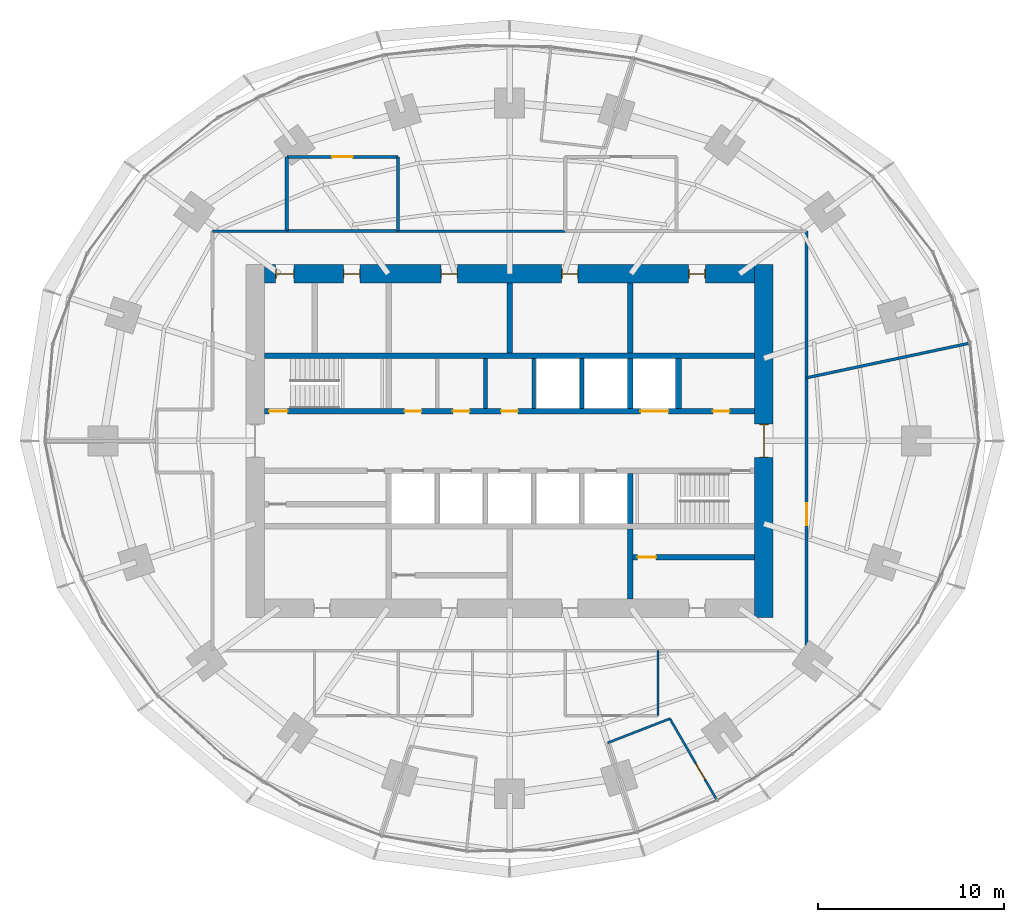
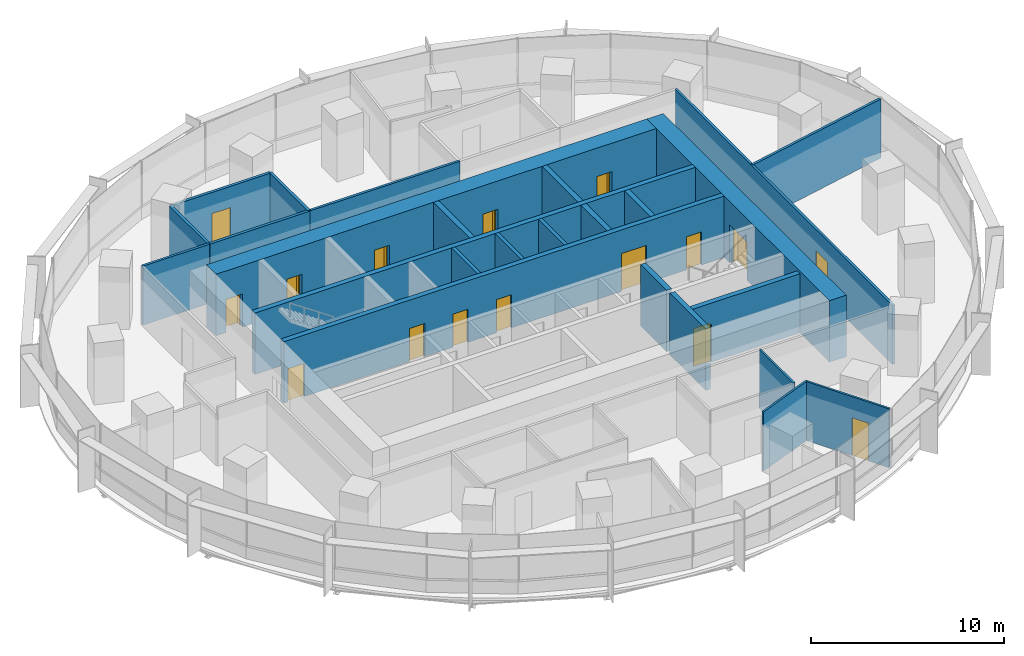
# One storey, part 11 of 14: 25 walls, 16 doors, 16 openings.
"""IFC4 building model written with IfcOpenShell, lengths in metres."""

from ifc_helpers import new_model, si_unit, direction, frame, frame_2d, origin, place, context, subcontext, project, spatial, rectangle, extrude, material, layer, layer_set, type_object, element, fill, save


model = new_model("IFC4")

# Units and contexts
model_context = context("Model", 3, precision=1e-05, world=origin(), true_north=direction((0.0, 1.0)))
body_context = subcontext(model_context, "Body", "Model", "MODEL_VIEW")
ifc_project = project(units=[si_unit("LENGTHUNIT", "METRE"), si_unit("AREAUNIT", "SQUARE_METRE"), si_unit("VOLUMEUNIT", "CUBIC_METRE"), si_unit("PLANEANGLEUNIT", "RADIAN"), si_unit("MASSUNIT", "GRAM", prefix="KILO")], contexts=[model_context])

# Site, building, storey
site_placement = place(None, origin())
site = spatial("IfcSite", under=ifc_project, at=site_placement, CompositionType="ELEMENT")
building_placement = place(site_placement, origin())
building = spatial("IfcBuilding", under=site, at=building_placement, Name="Marramba Exchange Tower", CompositionType="ELEMENT")
storey_placement = place(building_placement, frame((0.0, 0.0, 111.89990234375)))
storey = spatial("IfcBuildingStorey", under=building, at=storey_placement, Name="L26", CompositionType="ELEMENT", Elevation=111.89990234375)

# Wall
ifc_material_1 = material(Name="Plasterboard on staggered double steel studs, acoustic insulation", Category="steel")
ifc_layer_1 = layer(ifc_material_1, 0.169921875)
ifc_layer_set_1 = layer_set([ifc_layer_1], Name="Acoustic partition 170")
wall_type_1 = type_object("IfcWallType", Name="Acoustic partition 170", PredefinedType="PARTITIONING", material=ifc_layer_set_1)
wall_1_placement = place(storey_placement, frame((-6.0, 11.300048828125, 0.0), z_axis=(0.0, 0.0, 1.0), x_axis=(0.0, 1.0, 0.0)))
element("IfcWall", 1, at=wall_1_placement, inside=storey, type_object=wall_type_1, Name="Acoustic partition L26 28", PredefinedType="PARTITIONING", context=body_context, shape_type="SweptSolid", body=[
    extrude(rectangle(XDim=4.0, YDim=0.169921875, at=frame_2d((2.0, 0.0))), origin(), (0.0, 0.0, 1.0), 3.739990234375),
])

# Wall, opening, door
wall_2_placement = place(storey_placement, frame((-6.0, 15.300048828125, 0.0), z_axis=(0.0, 0.0, 1.0), x_axis=(-1.0, 0.0, 0.0)))
wall_2 = element("IfcWall", 2, at=wall_2_placement, inside=storey, type_object=wall_type_1, Name="Acoustic partition L26 29", PredefinedType="PARTITIONING", context=body_context, shape_type="SweptSolid", body=[
    extrude(rectangle(XDim=6.0, YDim=0.169921875, at=frame_2d((3.0, 0.0))), origin(), (0.0, 0.0, 1.0), 3.739990234375),
])
opening_1_placement = place(wall_2_placement, frame((2.449951171875, 0.0, 0.0)))
opening_1 = element("IfcOpeningElement", 3, at=opening_1_placement, cuts=wall_2, Name="Opening D15", PredefinedType="OPENING", context=body_context, shape_type="SweptSolid", body=[
    extrude(rectangle(XDim=1.10009765625, YDim=2.39990234375, at=frame_2d((0.550048828125, 1.199951171875))), frame((0.0, 0.094970703125, 0.0), z_axis=(0.0, -1.0, 0.0), x_axis=(1.0, 0.0, 0.0)), (0.0, 0.0, 1.0), 0.18994140625),
])
ifc_material_2 = material(Name="Timber door", Category="wood")
door_type_1 = type_object("IfcDoorType", Name="Glazed meeting room door 1100x2400", OperationType="SINGLE_SWING_LEFT", PredefinedType="DOOR", material=ifc_material_2)
door_1_placement = place(opening_1_placement, origin())
door_1 = element("IfcDoor", 4, at=door_1_placement, inside=storey, type_object=door_type_1, Name="D15 Meeting Room 2 L26", OperationType="SINGLE_SWING_RIGHT", OverallHeight=2.39990234375, OverallWidth=1.10009765625, PredefinedType="DOOR", context=body_context, shape_type="SweptSolid", body=[
    extrude(rectangle(XDim=1.10009765625, YDim=2.39990234375, at=frame_2d((0.550048828125, 1.199951171875))), frame((0.0, 0.02490234375, 0.0), z_axis=(0.0, -1.0, 0.0), x_axis=(1.0, 0.0, 0.0)), (0.0, 0.0, 1.0), 0.050048828125),
])
fill(opening_1, door_1)

# Walls
wall_3_placement = place(storey_placement, frame((-12.0, 11.300048828125, 0.0), z_axis=(0.0, 0.0, 1.0), x_axis=(1.0, 0.0, 0.0)))
element("IfcWall", 5, at=wall_3_placement, inside=storey, type_object=wall_type_1, Name="Acoustic partition L26 30", PredefinedType="PARTITIONING", context=body_context, shape_type="SweptSolid", body=[
    extrude(rectangle(XDim=6.0, YDim=0.169921875, at=frame_2d((3.0, 0.0))), origin(), (0.0, 0.0, 1.0), 3.739990234375),
])
wall_4_placement = place(storey_placement, frame((-12.0, 15.300048828125, 0.0), z_axis=(0.0, 0.0, 1.0), x_axis=(0.0, -1.0, 0.0)))
element("IfcWall", 6, at=wall_4_placement, inside=storey, type_object=wall_type_1, Name="Acoustic partition L26 31", PredefinedType="PARTITIONING", context=body_context, shape_type="SweptSolid", body=[
    extrude(rectangle(XDim=4.0, YDim=0.169921875, at=frame_2d((2.0, 0.0))), origin(), (0.0, 0.0, 1.0), 3.739990234375),
])
ifc_material_3 = material(Name="Concrete N50", Category="concrete")
ifc_layer_2 = layer(ifc_material_3, 0.199951171875)
ifc_layer_set_2 = layer_set([ifc_layer_2], Name="Core shaft wall 200")
wall_type_2 = type_object("IfcWallType", Name="Core shaft wall 200", PredefinedType="SHEAR", material=ifc_layer_set_2)
for number, where, z_axis, x_axis, name in (
    (7, (-1.300048828125, 1.75, 0.0), (0.0, 0.0, 1.0), (0.0, 1.0, 0.0), "Core wall SHN2 L26"),
    (8, (1.300048828125, 1.75, 0.0), (0.0, 0.0, 1.0), (0.0, 1.0, 0.0), "Core wall SHN3 L26"),
    (9, (3.89990234375, 1.75, 0.0), (0.0, 0.0, 1.0), (0.0, 1.0, 0.0), "Core wall SHN4 L26"),
):
    element("IfcWall", number, at=place(storey_placement, frame(where, z_axis=z_axis, x_axis=x_axis)), inside=storey, type_object=wall_type_2, Name=name, PredefinedType="SHEAR", context=body_context, shape_type="SweptSolid", body=[
        extrude(rectangle(XDim=2.699951171875, YDim=0.199951171875, at=frame_2d((1.35009765625, 0.0))), origin(), (0.0, 0.0, 1.0), 3.900146484375),
    ])

# Wall, openings, doors
ifc_layer_3 = layer(ifc_material_3, 1.0)
ifc_layer_set_3 = layer_set([ifc_layer_3], Name="Core wall 1000")
wall_type_3 = type_object("IfcWallType", Name="Core wall 1000", PredefinedType="SHEAR", material=ifc_layer_set_3)
wall_5_placement = place(storey_placement, frame((13.199951171875, 9.0, 0.0), z_axis=(0.0, 0.0, 1.0), x_axis=(-1.0, 0.0, 0.0)))
wall_5 = element("IfcWall", 10, at=wall_5_placement, inside=storey, type_object=wall_type_3, Name="Core wall N L26", PredefinedType="SHEAR", context=body_context, shape_type="SweptSolid", body=[
    extrude(rectangle(XDim=26.39990234375, YDim=1.0, at=frame_2d((13.199951171875, 0.0))), origin(), (0.0, 0.0, 1.0), 3.900146484375),
])
opening_2_placement = place(wall_5_placement, frame((2.64990234375, 0.0, 0.0)))
opening_2 = element("IfcOpeningElement", 11, at=opening_2_placement, cuts=wall_5, Name="Opening D5", PredefinedType="OPENING", context=body_context, shape_type="SweptSolid", body=[
    extrude(rectangle(XDim=0.89990234375, YDim=2.10009765625, at=frame_2d((0.449951171875, 1.050048828125))), frame((0.0, 0.510009765625, 0.0), z_axis=(0.0, -1.0, 0.0), x_axis=(1.0, 0.0, 0.0)), (0.0, 0.0, 1.0), 1.02001953125),
])
opening_3_placement = place(wall_5_placement, frame((9.5, 0.0, 0.0)))
opening_3 = element("IfcOpeningElement", 12, at=opening_3_placement, cuts=wall_5, Name="Opening D3", PredefinedType="OPENING", context=body_context, shape_type="SweptSolid", body=[
    extrude(rectangle(XDim=0.89990234375, YDim=2.10009765625, at=frame_2d((0.449951171875, 1.050048828125))), frame((0.0, 0.510009765625, 0.0), z_axis=(0.0, -1.0, 0.0), x_axis=(1.0, 0.0, 0.0)), (0.0, 0.0, 1.0), 1.02001953125),
])
opening_4_placement = place(wall_5_placement, frame((16.0, 0.0, 0.0)))
opening_4 = element("IfcOpeningElement", 13, at=opening_4_placement, cuts=wall_5, Name="Opening D3", PredefinedType="OPENING", context=body_context, shape_type="SweptSolid", body=[
    extrude(rectangle(XDim=0.89990234375, YDim=2.10009765625, at=frame_2d((0.449951171875, 1.050048828125))), frame((0.0, 0.510009765625, 0.0), z_axis=(0.0, -1.0, 0.0), x_axis=(1.0, 0.0, 0.0)), (0.0, 0.0, 1.0), 1.02001953125),
])
opening_5_placement = place(wall_5_placement, frame((21.25, 0.0, 0.0)))
opening_5 = element("IfcOpeningElement", 14, at=opening_5_placement, cuts=wall_5, Name="Opening D5", PredefinedType="OPENING", context=body_context, shape_type="SweptSolid", body=[
    extrude(rectangle(XDim=0.89990234375, YDim=2.10009765625, at=frame_2d((0.449951171875, 1.050048828125))), frame((0.0, 0.510009765625, 0.0), z_axis=(0.0, -1.0, 0.0), x_axis=(1.0, 0.0, 0.0)), (0.0, 0.0, 1.0), 1.02001953125),
])
opening_6_placement = place(wall_5_placement, frame((24.800048828125, 0.0, 0.0)))
opening_6 = element("IfcOpeningElement", 15, at=opening_6_placement, cuts=wall_5, Name="Opening D4", PredefinedType="OPENING", context=body_context, shape_type="SweptSolid", body=[
    extrude(rectangle(XDim=1.0, YDim=2.10009765625, at=frame_2d((0.5, 1.050048828125))), frame((0.0, 0.510009765625, 0.0), z_axis=(0.0, -1.0, 0.0), x_axis=(1.0, 0.0, 0.0)), (0.0, 0.0, 1.0), 1.02001953125),
])
ifc_material_4 = material(Name="Steel-framed door", Category="steel")
door_type_2 = type_object("IfcDoorType", Name="Accessible toilet door 1000x2100", OperationType="SINGLE_SWING_LEFT", PredefinedType="DOOR", material=ifc_material_4)
door_2_placement = place(opening_6_placement, origin())
door_2 = element("IfcDoor", 16, at=door_2_placement, inside=storey, type_object=door_type_2, Name="D4 awc L26", OperationType="SINGLE_SWING_RIGHT", OverallHeight=2.10009765625, OverallWidth=1.0, PredefinedType="DOOR", context=body_context, shape_type="SweptSolid", body=[
    extrude(rectangle(XDim=0.919921875, YDim=2.06005859375, at=frame_2d((0.5, 1.030029296875))), frame((0.0, 0.02490234375, 0.0), z_axis=(0.0, -1.0, 0.0), x_axis=(1.0, 0.0, 0.0)), (0.0, 0.0, 1.0), 0.050048828125),
    extrude(rectangle(XDim=0.04, YDim=2.10009765625, at=frame_2d((0.02001953125, 1.050048828125))), frame((0.0, 0.25, 0.0), z_axis=(0.0, -1.0, 0.0), x_axis=(1.0, 0.0, 0.0)), (0.0, 0.0, 1.0), 0.5),
    extrude(rectangle(XDim=0.04, YDim=2.10009765625, at=frame_2d((0.97998046875, 1.050048828125))), frame((0.0, 0.25, 0.0), z_axis=(0.0, -1.0, 0.0), x_axis=(1.0, 0.0, 0.0)), (0.0, 0.0, 1.0), 0.5),
    extrude(rectangle(XDim=0.919921875, YDim=0.04, at=frame_2d((0.5, 2.080078125))), frame((0.0, 0.25, 0.0), z_axis=(0.0, -1.0, 0.0), x_axis=(1.0, 0.0, 0.0)), (0.0, 0.0, 1.0), 0.5),
])
fill(opening_6, door_2)
door_type_3 = type_object("IfcDoorType", Name="Service door 900x2100", OperationType="SINGLE_SWING_LEFT", PredefinedType="DOOR", material=ifc_material_4)
door_3_placement = place(opening_2_placement, origin())
door_3 = element("IfcDoor", 17, at=door_3_placement, inside=storey, type_object=door_type_3, Name="D5 comms L26", OperationType="SINGLE_SWING_LEFT", OverallHeight=2.10009765625, OverallWidth=0.89990234375, PredefinedType="DOOR", context=body_context, shape_type="SweptSolid", body=[
    extrude(rectangle(XDim=0.81982421875, YDim=2.06005859375, at=frame_2d((0.449951171875, 1.030029296875))), frame((0.0, 0.02490234375, 0.0), z_axis=(0.0, -1.0, 0.0), x_axis=(1.0, 0.0, 0.0)), (0.0, 0.0, 1.0), 0.050048828125),
    extrude(rectangle(XDim=0.04, YDim=2.10009765625, at=frame_2d((0.02001953125, 1.050048828125))), frame((0.0, 0.25, 0.0), z_axis=(0.0, -1.0, 0.0), x_axis=(1.0, 0.0, 0.0)), (0.0, 0.0, 1.0), 0.5),
    extrude(rectangle(XDim=0.04, YDim=2.10009765625, at=frame_2d((0.8798828125, 1.050048828125))), frame((0.0, 0.25, 0.0), z_axis=(0.0, -1.0, 0.0), x_axis=(1.0, 0.0, 0.0)), (0.0, 0.0, 1.0), 0.5),
    extrude(rectangle(XDim=0.81982421875, YDim=0.04, at=frame_2d((0.449951171875, 2.080078125))), frame((0.0, 0.25, 0.0), z_axis=(0.0, -1.0, 0.0), x_axis=(1.0, 0.0, 0.0)), (0.0, 0.0, 1.0), 0.5),
])
fill(opening_2, door_3)
door_4_placement = place(opening_5_placement, origin())
door_4 = element("IfcDoor", 18, at=door_4_placement, inside=storey, type_object=door_type_3, Name="D5 cleaner L26", OperationType="SINGLE_SWING_RIGHT", OverallHeight=2.10009765625, OverallWidth=0.89990234375, PredefinedType="DOOR", context=body_context, shape_type="SweptSolid", body=[
    extrude(rectangle(XDim=0.81982421875, YDim=2.06005859375, at=frame_2d((0.449951171875, 1.030029296875))), frame((0.0, 0.02490234375, 0.0), z_axis=(0.0, -1.0, 0.0), x_axis=(1.0, 0.0, 0.0)), (0.0, 0.0, 1.0), 0.050048828125),
    extrude(rectangle(XDim=0.04, YDim=2.10009765625, at=frame_2d((0.02001953125, 1.050048828125))), frame((0.0, 0.25, 0.0), z_axis=(0.0, -1.0, 0.0), x_axis=(1.0, 0.0, 0.0)), (0.0, 0.0, 1.0), 0.5),
    extrude(rectangle(XDim=0.04, YDim=2.10009765625, at=frame_2d((0.8798828125, 1.050048828125))), frame((0.0, 0.25, 0.0), z_axis=(0.0, -1.0, 0.0), x_axis=(1.0, 0.0, 0.0)), (0.0, 0.0, 1.0), 0.5),
    extrude(rectangle(XDim=0.81982421875, YDim=0.04, at=frame_2d((0.449951171875, 2.080078125))), frame((0.0, 0.25, 0.0), z_axis=(0.0, -1.0, 0.0), x_axis=(1.0, 0.0, 0.0)), (0.0, 0.0, 1.0), 0.5),
])
fill(opening_5, door_4)
door_type_4 = type_object("IfcDoorType", Name="Toilet door 900x2100", OperationType="SINGLE_SWING_LEFT", PredefinedType="DOOR", material=ifc_material_4)
door_5_placement = place(opening_3_placement, origin())
door_5 = element("IfcDoor", 19, at=door_5_placement, inside=storey, type_object=door_type_4, Name="D3 wc-f L26", OperationType="SINGLE_SWING_RIGHT", OverallHeight=2.10009765625, OverallWidth=0.89990234375, PredefinedType="DOOR", context=body_context, shape_type="SweptSolid", body=[
    extrude(rectangle(XDim=0.81982421875, YDim=2.06005859375, at=frame_2d((0.449951171875, 1.030029296875))), frame((0.0, 0.02490234375, 0.0), z_axis=(0.0, -1.0, 0.0), x_axis=(1.0, 0.0, 0.0)), (0.0, 0.0, 1.0), 0.050048828125),
    extrude(rectangle(XDim=0.04, YDim=2.10009765625, at=frame_2d((0.02001953125, 1.050048828125))), frame((0.0, 0.25, 0.0), z_axis=(0.0, -1.0, 0.0), x_axis=(1.0, 0.0, 0.0)), (0.0, 0.0, 1.0), 0.5),
    extrude(rectangle(XDim=0.04, YDim=2.10009765625, at=frame_2d((0.8798828125, 1.050048828125))), frame((0.0, 0.25, 0.0), z_axis=(0.0, -1.0, 0.0), x_axis=(1.0, 0.0, 0.0)), (0.0, 0.0, 1.0), 0.5),
    extrude(rectangle(XDim=0.81982421875, YDim=0.04, at=frame_2d((0.449951171875, 2.080078125))), frame((0.0, 0.25, 0.0), z_axis=(0.0, -1.0, 0.0), x_axis=(1.0, 0.0, 0.0)), (0.0, 0.0, 1.0), 0.5),
])
fill(opening_3, door_5)
door_6_placement = place(opening_4_placement, origin())
door_6 = element("IfcDoor", 20, at=door_6_placement, inside=storey, type_object=door_type_4, Name="D3 wc-m L26", OperationType="SINGLE_SWING_RIGHT", OverallHeight=2.10009765625, OverallWidth=0.89990234375, PredefinedType="DOOR", context=body_context, shape_type="SweptSolid", body=[
    extrude(rectangle(XDim=0.81982421875, YDim=2.06005859375, at=frame_2d((0.449951171875, 1.030029296875))), frame((0.0, 0.02490234375, 0.0), z_axis=(0.0, -1.0, 0.0), x_axis=(1.0, 0.0, 0.0)), (0.0, 0.0, 1.0), 0.050048828125),
    extrude(rectangle(XDim=0.04, YDim=2.10009765625, at=frame_2d((0.02001953125, 1.050048828125))), frame((0.0, 0.25, 0.0), z_axis=(0.0, -1.0, 0.0), x_axis=(1.0, 0.0, 0.0)), (0.0, 0.0, 1.0), 0.5),
    extrude(rectangle(XDim=0.04, YDim=2.10009765625, at=frame_2d((0.8798828125, 1.050048828125))), frame((0.0, 0.25, 0.0), z_axis=(0.0, -1.0, 0.0), x_axis=(1.0, 0.0, 0.0)), (0.0, 0.0, 1.0), 0.5),
    extrude(rectangle(XDim=0.81982421875, YDim=0.04, at=frame_2d((0.449951171875, 2.080078125))), frame((0.0, 0.25, 0.0), z_axis=(0.0, -1.0, 0.0), x_axis=(1.0, 0.0, 0.0)), (0.0, 0.0, 1.0), 0.5),
])
fill(opening_4, door_6)

# Wall, opening, door
wall_6_placement = place(storey_placement, frame((13.699951171875, -9.5, 0.0), z_axis=(0.0, 0.0, 1.0), x_axis=(0.0, 1.0, 0.0)))
wall_6 = element("IfcWall", 21, at=wall_6_placement, inside=storey, type_object=wall_type_3, Name="Core wall E L26", PredefinedType="SHEAR", context=body_context, shape_type="SweptSolid", body=[
    extrude(rectangle(XDim=19.0, YDim=1.0, at=frame_2d((9.5, 0.0))), origin(), (0.0, 0.0, 1.0), 3.900146484375),
])
opening_7_placement = place(wall_6_placement, frame((8.60009765625, 0.0, 0.0)))
opening_7 = element("IfcOpeningElement", 22, at=opening_7_placement, cuts=wall_6, Name="Opening D1", PredefinedType="OPENING", context=body_context, shape_type="SweptSolid", body=[
    extrude(rectangle(XDim=1.800048828125, YDim=2.39990234375, at=frame_2d((0.89990234375, 1.199951171875))), frame((0.0, 0.510009765625, 0.0), z_axis=(0.0, -1.0, 0.0), x_axis=(1.0, 0.0, 0.0)), (0.0, 0.0, 1.0), 1.02001953125),
])
door_type_5 = type_object("IfcDoorType", Name="Lobby exit door 1800x2400", OperationType="DOUBLE_DOOR_SINGLE_SWING", PredefinedType="DOOR", material=ifc_material_4)
door_7_placement = place(opening_7_placement, origin())
door_7 = element("IfcDoor", 23, at=door_7_placement, inside=storey, type_object=door_type_5, Name="D1 lobby exit east L26", OperationType="DOUBLE_DOOR_SINGLE_SWING", OverallHeight=2.39990234375, OverallWidth=1.800048828125, PredefinedType="DOOR", context=body_context, shape_type="SweptSolid", body=[
    extrude(rectangle(XDim=1.719970703125, YDim=2.35986328125, at=frame_2d((0.89990234375, 1.179931640625))), frame((0.0, 0.02490234375, 0.0), z_axis=(0.0, -1.0, 0.0), x_axis=(1.0, 0.0, 0.0)), (0.0, 0.0, 1.0), 0.050048828125),
    extrude(rectangle(XDim=0.04, YDim=2.39990234375, at=frame_2d((0.02001953125, 1.199951171875))), frame((0.0, 0.25, 0.0), z_axis=(0.0, -1.0, 0.0), x_axis=(1.0, 0.0, 0.0)), (0.0, 0.0, 1.0), 0.5),
    extrude(rectangle(XDim=0.04, YDim=2.39990234375, at=frame_2d((1.780029296875, 1.199951171875))), frame((0.0, 0.25, 0.0), z_axis=(0.0, -1.0, 0.0), x_axis=(1.0, 0.0, 0.0)), (0.0, 0.0, 1.0), 0.5),
    extrude(rectangle(XDim=1.719970703125, YDim=0.04, at=frame_2d((0.89990234375, 2.3798828125))), frame((0.0, 0.25, 0.0), z_axis=(0.0, -1.0, 0.0), x_axis=(1.0, 0.0, 0.0)), (0.0, 0.0, 1.0), 0.5),
])
fill(opening_7, door_7)

# Wall, openings, doors
ifc_layer_4 = layer(ifc_material_3, 0.300048828125)
ifc_layer_set_4 = layer_set([ifc_layer_4], Name="Core wall 300")
wall_type_4 = type_object("IfcWallType", Name="Core wall 300", PredefinedType="SHEAR", material=ifc_layer_set_4)
wall_7_placement = place(storey_placement, frame((-13.199951171875, 1.60009765625, 0.0), z_axis=(0.0, 0.0, 1.0), x_axis=(1.0, 0.0, 0.0)))
wall_7 = element("IfcWall", 24, at=wall_7_placement, inside=storey, type_object=wall_type_4, Name="Core wall LN L26", PredefinedType="SHEAR", context=body_context, shape_type="SweptSolid", body=[
    extrude(rectangle(XDim=26.39990234375, YDim=0.300048828125, at=frame_2d((13.199951171875, 0.0))), origin(), (0.0, 0.0, 1.0), 3.900146484375),
])
opening_8_placement = place(wall_7_placement, frame((0.25, 0.0, 0.0)))
opening_8 = element("IfcOpeningElement", 25, at=opening_8_placement, cuts=wall_7, Name="Opening D2", PredefinedType="OPENING", context=body_context, shape_type="SweptSolid", body=[
    extrude(rectangle(XDim=1.0, YDim=2.10009765625, at=frame_2d((0.5, 1.050048828125))), frame((0.0, 0.159912109375, 0.0), z_axis=(0.0, -1.0, 0.0), x_axis=(1.0, 0.0, 0.0)), (0.0, 0.0, 1.0), 0.320068359375),
])
opening_9_placement = place(wall_7_placement, frame((20.25, 0.0, 0.0)))
opening_9 = element("IfcOpeningElement", 26, at=opening_9_placement, cuts=wall_7, Name="Opening LD3", PredefinedType="OPENING", context=body_context, shape_type="SweptSolid", body=[
    extrude(rectangle(XDim=1.5, YDim=2.39990234375, at=frame_2d((0.75, 1.199951171875))), frame((0.0, 0.159912109375, 0.0), z_axis=(0.0, -1.0, 0.0), x_axis=(1.0, 0.0, 0.0)), (0.0, 0.0, 1.0), 0.320068359375),
])
opening_10_placement = place(wall_7_placement, frame((7.550048828125, 0.0, 0.0)))
opening_10 = element("IfcOpeningElement", 27, at=opening_10_placement, cuts=wall_7, Name="Opening D5", PredefinedType="OPENING", context=body_context, shape_type="SweptSolid", body=[
    extrude(rectangle(XDim=0.89990234375, YDim=2.10009765625, at=frame_2d((0.449951171875, 1.050048828125))), frame((0.0, 0.159912109375, 0.0), z_axis=(0.0, -1.0, 0.0), x_axis=(1.0, 0.0, 0.0)), (0.0, 0.0, 1.0), 0.320068359375),
])
opening_11_placement = place(wall_7_placement, frame((10.14990234375, 0.0, 0.0)))
opening_11 = element("IfcOpeningElement", 28, at=opening_11_placement, cuts=wall_7, Name="Opening D5", PredefinedType="OPENING", context=body_context, shape_type="SweptSolid", body=[
    extrude(rectangle(XDim=0.89990234375, YDim=2.10009765625, at=frame_2d((0.449951171875, 1.050048828125))), frame((0.0, 0.159912109375, 0.0), z_axis=(0.0, -1.0, 0.0), x_axis=(1.0, 0.0, 0.0)), (0.0, 0.0, 1.0), 0.320068359375),
])
opening_12_placement = place(wall_7_placement, frame((12.75, 0.0, 0.0)))
opening_12 = element("IfcOpeningElement", 29, at=opening_12_placement, cuts=wall_7, Name="Opening D5", PredefinedType="OPENING", context=body_context, shape_type="SweptSolid", body=[
    extrude(rectangle(XDim=0.89990234375, YDim=2.10009765625, at=frame_2d((0.449951171875, 1.050048828125))), frame((0.0, 0.159912109375, 0.0), z_axis=(0.0, -1.0, 0.0), x_axis=(1.0, 0.0, 0.0)), (0.0, 0.0, 1.0), 0.320068359375),
])
opening_13_placement = place(wall_7_placement, frame((24.14990234375, 0.0, 0.0)))
opening_13 = element("IfcOpeningElement", 30, at=opening_13_placement, cuts=wall_7, Name="Opening D5", PredefinedType="OPENING", context=body_context, shape_type="SweptSolid", body=[
    extrude(rectangle(XDim=0.89990234375, YDim=2.10009765625, at=frame_2d((0.449951171875, 1.050048828125))), frame((0.0, 0.159912109375, 0.0), z_axis=(0.0, -1.0, 0.0), x_axis=(1.0, 0.0, 0.0)), (0.0, 0.0, 1.0), 0.320068359375),
])
door_type_6 = type_object("IfcDoorType", Name="Goods lift landing door 1500x2400", OperationType="SLIDING_TO_LEFT", PredefinedType="DOOR", material=ifc_material_4)
door_8_placement = place(opening_9_placement, origin())
door_8 = element("IfcDoor", 31, at=door_8_placement, inside=storey, type_object=door_type_6, Name="GL1 landing door L26", OperationType="SLIDING_TO_LEFT", OverallHeight=2.39990234375, OverallWidth=1.5, PredefinedType="DOOR", context=body_context, shape_type="SweptSolid", body=[
    extrude(rectangle(XDim=1.5, YDim=2.39990234375, at=frame_2d((0.75, 1.199951171875))), frame((0.0, 0.02490234375, 0.0), z_axis=(0.0, -1.0, 0.0), x_axis=(1.0, 0.0, 0.0)), (0.0, 0.0, 1.0), 0.050048828125),
])
fill(opening_9, door_8)
door_9_placement = place(opening_10_placement, origin())
door_9 = element("IfcDoor", 32, at=door_9_placement, inside=storey, type_object=door_type_3, Name="D5 switch room L26", OperationType="SINGLE_SWING_RIGHT", OverallHeight=2.10009765625, OverallWidth=0.89990234375, PredefinedType="DOOR", context=body_context, shape_type="SweptSolid", body=[
    extrude(rectangle(XDim=0.89990234375, YDim=2.10009765625, at=frame_2d((0.449951171875, 1.050048828125))), frame((0.0, 0.02490234375, 0.0), z_axis=(0.0, -1.0, 0.0), x_axis=(1.0, 0.0, 0.0)), (0.0, 0.0, 1.0), 0.050048828125),
])
fill(opening_10, door_9)
door_10_placement = place(opening_11_placement, origin())
door_10 = element("IfcDoor", 33, at=door_10_placement, inside=storey, type_object=door_type_3, Name="D5 cleaner store L26", OperationType="SINGLE_SWING_RIGHT", OverallHeight=2.10009765625, OverallWidth=0.89990234375, PredefinedType="DOOR", context=body_context, shape_type="SweptSolid", body=[
    extrude(rectangle(XDim=0.89990234375, YDim=2.10009765625, at=frame_2d((0.449951171875, 1.050048828125))), frame((0.0, 0.02490234375, 0.0), z_axis=(0.0, -1.0, 0.0), x_axis=(1.0, 0.0, 0.0)), (0.0, 0.0, 1.0), 0.050048828125),
])
fill(opening_11, door_10)
door_11_placement = place(opening_12_placement, origin())
door_11 = element("IfcDoor", 34, at=door_11_placement, inside=storey, type_object=door_type_3, Name="D5 general store L26", OperationType="SINGLE_SWING_RIGHT", OverallHeight=2.10009765625, OverallWidth=0.89990234375, PredefinedType="DOOR", context=body_context, shape_type="SweptSolid", body=[
    extrude(rectangle(XDim=0.89990234375, YDim=2.10009765625, at=frame_2d((0.449951171875, 1.050048828125))), frame((0.0, 0.02490234375, 0.0), z_axis=(0.0, -1.0, 0.0), x_axis=(1.0, 0.0, 0.0)), (0.0, 0.0, 1.0), 0.050048828125),
])
fill(opening_12, door_11)
door_12_placement = place(opening_13_placement, origin())
door_12 = element("IfcDoor", 35, at=door_12_placement, inside=storey, type_object=door_type_3, Name="D5 riser L26", OperationType="SINGLE_SWING_RIGHT", OverallHeight=2.10009765625, OverallWidth=0.89990234375, PredefinedType="DOOR", context=body_context, shape_type="SweptSolid", body=[
    extrude(rectangle(XDim=0.89990234375, YDim=2.10009765625, at=frame_2d((0.449951171875, 1.050048828125))), frame((0.0, 0.02490234375, 0.0), z_axis=(0.0, -1.0, 0.0), x_axis=(1.0, 0.0, 0.0)), (0.0, 0.0, 1.0), 0.050048828125),
])
fill(opening_13, door_12)
door_type_7 = type_object("IfcDoorType", Name="Stair door 1000x2100", OperationType="SINGLE_SWING_LEFT", PredefinedType="DOOR", material=ifc_material_4)
door_13_placement = place(opening_8_placement, origin())
door_13 = element("IfcDoor", 36, at=door_13_placement, inside=storey, type_object=door_type_7, Name="D2 stair ST1 L26", OperationType="SINGLE_SWING_LEFT", OverallHeight=2.10009765625, OverallWidth=1.0, PredefinedType="DOOR", context=body_context, shape_type="SweptSolid", body=[
    extrude(rectangle(XDim=1.0, YDim=2.10009765625, at=frame_2d((0.5, 1.050048828125))), frame((0.0, 0.02490234375, 0.0), z_axis=(0.0, -1.0, 0.0), x_axis=(1.0, 0.0, 0.0)), (0.0, 0.0, 1.0), 0.050048828125),
])
fill(opening_8, door_13)

# Walls
wall_8_placement = place(storey_placement, frame((-13.199951171875, 4.60009765625, 0.0), z_axis=(0.0, 0.0, 1.0), x_axis=(1.0, 0.0, 0.0)))
element("IfcWall", 37, at=wall_8_placement, inside=storey, type_object=wall_type_4, Name="Core wall BN L26", PredefinedType="SHEAR", context=body_context, shape_type="SweptSolid", body=[
    extrude(rectangle(XDim=26.39990234375, YDim=0.300048828125, at=frame_2d((13.199951171875, 0.0))), origin(), (0.0, 0.0, 1.0), 3.900146484375),
])
wall_9_placement = place(storey_placement, frame((6.5, 1.75, 0.0), z_axis=(0.0, 0.0, 1.0), x_axis=(0.0, 1.0, 0.0)))
element("IfcWall", 38, at=wall_9_placement, inside=storey, type_object=wall_type_4, Name="Core wall X1Na L26", PredefinedType="SHEAR", context=body_context, shape_type="SweptSolid", body=[
    extrude(rectangle(XDim=2.699951171875, YDim=0.300048828125, at=frame_2d((1.35009765625, 0.0))), origin(), (0.0, 0.0, 1.0), 3.900146484375),
])
for number, where, z_axis, x_axis, name in (
    (39, (6.5, 4.75, 0.0), (0.0, 0.0, 1.0), (0.0, 1.0, 0.0), "Core wall X1Nb L26"),
    (40, (0.0, 4.75, 0.0), (0.0, 0.0, 1.0), (0.0, 1.0, 0.0), "Core wall MN L26"),
):
    element("IfcWall", number, at=place(storey_placement, frame(where, z_axis=z_axis, x_axis=x_axis)), inside=storey, type_object=wall_type_4, Name=name, PredefinedType="SHEAR", context=body_context, shape_type="SweptSolid", body=[
        extrude(rectangle(XDim=3.75, YDim=0.300048828125, at=frame_2d((1.875, 0.0))), origin(), (0.0, 0.0, 1.0), 3.900146484375),
    ])
wall_10_placement = place(storey_placement, frame((6.5, -1.75, 0.0), z_axis=(0.0, 0.0, 1.0), x_axis=(0.0, -1.0, 0.0)))
element("IfcWall", 41, at=wall_10_placement, inside=storey, type_object=wall_type_4, Name="Core wall X1Sa L26", PredefinedType="SHEAR", context=body_context, shape_type="SweptSolid", body=[
    extrude(rectangle(XDim=2.699951171875, YDim=0.300048828125, at=frame_2d((1.35009765625, 0.0))), origin(), (0.0, 0.0, 1.0), 3.900146484375),
])
wall_11_placement = place(storey_placement, frame((6.5, -4.75, 0.0), z_axis=(0.0, 0.0, 1.0), x_axis=(0.0, -1.0, 0.0)))
element("IfcWall", 42, at=wall_11_placement, inside=storey, type_object=wall_type_4, Name="Core wall X1Sb L26", PredefinedType="SHEAR", context=body_context, shape_type="SweptSolid", body=[
    extrude(rectangle(XDim=3.75, YDim=0.300048828125, at=frame_2d((1.875, 0.0))), origin(), (0.0, 0.0, 1.0), 3.900146484375),
])
wall_12_placement = place(storey_placement, frame((9.10009765625, 1.75, 0.0), z_axis=(0.0, 0.0, 1.0), x_axis=(0.0, 1.0, 0.0)))
element("IfcWall", 43, at=wall_12_placement, inside=storey, type_object=wall_type_4, Name="Core wall ED L26", PredefinedType="SHEAR", context=body_context, shape_type="SweptSolid", body=[
    extrude(rectangle(XDim=2.699951171875, YDim=0.300048828125, at=frame_2d((1.35009765625, 0.0))), origin(), (0.0, 0.0, 1.0), 3.900146484375),
])
ifc_material_5 = material(Name="Plasterboard on steel studs", Category="steel")
ifc_layer_5 = layer(ifc_material_5, 0.1201171875)
ifc_layer_set_5 = layer_set([ifc_layer_5], Name="Partition 120")
wall_type_5 = type_object("IfcWallType", Name="Partition 120", PredefinedType="PARTITIONING", material=ifc_layer_set_5)
wall_13_placement = place(storey_placement, frame((8.63671875, -14.958984375, 0.0), z_axis=(0.0, 0.0, 1.0), x_axis=(-0.932196869483, -0.361951649432, 0.0)))
element("IfcWall", 44, at=wall_13_placement, inside=storey, type_object=wall_type_5, Name="Partition L26 14", PredefinedType="PARTITIONING", context=body_context, shape_type="SweptSolid", body=[
    extrude(rectangle(XDim=3.59716796875, YDim=0.1201171875, at=frame_2d((1.798583984375, 0.0))), origin(), (0.0, 0.0, 1.0), 3.739990234375),
])

# Wall, opening, door
wall_14_placement = place(storey_placement, frame((11.13671875, -19.289306640625, 0.0), z_axis=(0.0, 0.0, 1.0), x_axis=(-0.499983091616, 0.866035165624, 0.0)))
wall_14 = element("IfcWall", 45, at=wall_14_placement, inside=storey, type_object=wall_type_5, Name="Partition L26 15", PredefinedType="PARTITIONING", context=body_context, shape_type="SweptSolid", body=[
    extrude(rectangle(XDim=5.000244140625, YDim=0.1201171875, at=frame_2d((2.5, 0.0))), origin(), (0.0, 0.0, 1.0), 3.739990234375),
])
opening_14_placement = place(wall_14_placement, frame((1.212890625, 0.0, 0.0)))
opening_14 = element("IfcOpeningElement", 46, at=opening_14_placement, cuts=wall_14, Name="Opening D9", PredefinedType="OPENING", context=body_context, shape_type="SweptSolid", body=[
    extrude(rectangle(XDim=1.0, YDim=2.39990234375, at=frame_2d((0.5, 1.199951171875))), frame((0.0, 0.070068359375, 0.0), z_axis=(0.0, -1.0, 0.0), x_axis=(1.0, 0.0, 0.0)), (0.0, 0.0, 1.0), 0.14013671875),
])
door_type_8 = type_object("IfcDoorType", Name="Room door 1000x2400", OperationType="SINGLE_SWING_LEFT", PredefinedType="DOOR", material=ifc_material_2)
door_14_placement = place(opening_14_placement, origin())
door_14 = element("IfcDoor", 47, at=door_14_placement, inside=storey, type_object=door_type_8, Name="D9 Office 1 L26", OperationType="SINGLE_SWING_LEFT", OverallHeight=2.39990234375, OverallWidth=1.0, PredefinedType="DOOR", context=body_context, shape_type="SweptSolid", body=[
    extrude(rectangle(XDim=1.0, YDim=2.39990234375, at=frame_2d((0.5, 1.199951171875))), frame((0.0, 0.02490234375, 0.0), z_axis=(0.0, -1.0, 0.0), x_axis=(1.0, 0.0, 0.0)), (0.0, 0.0, 1.0), 0.050048828125),
])
fill(opening_14, door_14)

# Wall
wall_15_placement = place(storey_placement, frame((8.0, -14.800048828125, 0.0), z_axis=(0.0, 0.0, 1.0), x_axis=(0.0, 1.0, 0.0)))
element("IfcWall", 48, at=wall_15_placement, inside=storey, type_object=wall_type_5, Name="Partition L26 16", PredefinedType="PARTITIONING", context=body_context, shape_type="SweptSolid", body=[
    extrude(rectangle(XDim=3.5, YDim=0.1201171875, at=frame_2d((1.75, 0.0))), origin(), (0.0, 0.0, 1.0), 3.739990234375),
])

# Wall, opening, door
ifc_material_6 = material(Name="Plasterboard on steel studs, insulated, unrated", Category="steel")
ifc_layer_6 = layer(ifc_material_6, 0.300048828125)
ifc_layer_set_6 = layer_set([ifc_layer_6], Name="Store partition 300")
wall_type_6 = type_object("IfcWallType", Name="Store partition 300", PredefinedType="PARTITIONING", material=ifc_layer_set_6)
wall_16_placement = place(storey_placement, frame((6.64990234375, -6.27197265625, 0.0), z_axis=(0.0, 0.0, 1.0), x_axis=(1.0, 0.0, 0.0)))
wall_16 = element("IfcWall", 49, at=wall_16_placement, inside=storey, type_object=wall_type_6, Name="Store partition L26 cstore", PredefinedType="PARTITIONING", context=body_context, shape_type="SweptSolid", body=[
    extrude(rectangle(XDim=6.550048828125, YDim=0.300048828125, at=frame_2d((3.27490234375, 0.0))), origin(), (0.0, 0.0, 1.0), 3.739990234375),
])
opening_15_placement = place(wall_16_placement, frame((0.25, 0.0, 0.0)))
opening_15 = element("IfcOpeningElement", 50, at=opening_15_placement, cuts=wall_16, Name="Opening D9", PredefinedType="OPENING", context=body_context, shape_type="SweptSolid", body=[
    extrude(rectangle(XDim=1.0, YDim=2.39990234375, at=frame_2d((0.5, 1.199951171875))), frame((0.0, 0.159912109375, 0.0), z_axis=(0.0, -1.0, 0.0), x_axis=(1.0, 0.0, 0.0)), (0.0, 0.0, 1.0), 0.320068359375),
])
door_15_placement = place(opening_15_placement, origin())
door_15 = element("IfcDoor", 51, at=door_15_placement, inside=storey, type_object=door_type_8, Name="D9 general store L26", OperationType="SINGLE_SWING_LEFT", OverallHeight=2.39990234375, OverallWidth=1.0, PredefinedType="DOOR", context=body_context, shape_type="SweptSolid", body=[
    extrude(rectangle(XDim=1.0, YDim=2.39990234375, at=frame_2d((0.5, 1.199951171875))), frame((0.0, 0.02490234375, 0.0), z_axis=(0.0, -1.0, 0.0), x_axis=(1.0, 0.0, 0.0)), (0.0, 0.0, 1.0), 0.050048828125),
])
fill(opening_15, door_15)

ifc_material_7 = material(Name="Fire-rated plasterboard on steel studs, acoustic insulation", Category="steel")
ifc_layer_7 = layer(ifc_material_7, 0.14990234375)
ifc_layer_set_7 = layer_set([ifc_layer_7], Name="Tenancy wall 150")
wall_type_7 = type_object("IfcWallType", Name="Tenancy wall 150", PredefinedType="PARTITIONING", material=ifc_layer_set_7)
wall_17_placement = place(storey_placement, frame((16.0, -11.300048828125, 0.0), z_axis=(0.0, 0.0, 1.0), x_axis=(0.0, 1.0, 0.0)))
wall_17 = element("IfcWall", 52, at=wall_17_placement, inside=storey, type_object=wall_type_7, Name="Tenancy wall L26 17", PredefinedType="PARTITIONING", context=body_context, shape_type="SweptSolid", body=[
    extrude(rectangle(XDim=22.60009765625, YDim=0.14990234375, at=frame_2d((11.300048828125, 0.0))), origin(), (0.0, 0.0, 1.0), 3.739990234375),
])
opening_16_placement = place(wall_17_placement, frame((6.75, 0.0, 0.0)))
opening_16 = element("IfcOpeningElement", 53, at=opening_16_placement, cuts=wall_17, Name="Opening D13", PredefinedType="OPENING", context=body_context, shape_type="SweptSolid", body=[
    extrude(rectangle(XDim=1.199951171875, YDim=2.39990234375, at=frame_2d((0.60009765625, 1.199951171875))), frame((0.0, 0.0849609375, 0.0), z_axis=(0.0, -1.0, 0.0), x_axis=(1.0, 0.0, 0.0)), (0.0, 0.0, 1.0), 0.169921875),
])
door_type_9 = type_object("IfcDoorType", Name="Tenancy entry door 1200x2400", OperationType="SINGLE_SWING_LEFT", PredefinedType="DOOR", material=ifc_material_4)
door_16_placement = place(opening_16_placement, origin())
door_16 = element("IfcDoor", 54, at=door_16_placement, inside=storey, type_object=door_type_9, Name="D13 Office 1 L26", OperationType="SINGLE_SWING_LEFT", OverallHeight=2.39990234375, OverallWidth=1.199951171875, PredefinedType="DOOR", context=body_context, shape_type="SweptSolid", body=[
    extrude(rectangle(XDim=1.199951171875, YDim=2.39990234375, at=frame_2d((0.60009765625, 1.199951171875))), frame((0.0, 0.02490234375, 0.0), z_axis=(0.0, -1.0, 0.0), x_axis=(1.0, 0.0, 0.0)), (0.0, 0.0, 1.0), 0.050048828125),
])
fill(opening_16, door_16)

# Walls
wall_18_placement = place(storey_placement, frame((16.0, 3.40087890625, 0.0), z_axis=(0.0, 0.0, 1.0), x_axis=(0.978147726704, 0.207911098173, 0.0)))
element("IfcWall", 55, at=wall_18_placement, inside=storey, type_object=wall_type_7, Name="Tenancy wall L26 18", PredefinedType="PARTITIONING", context=body_context, shape_type="SweptSolid", body=[
    extrude(rectangle(XDim=8.925537109375, YDim=0.14990234375, at=frame_2d((4.462890625, 0.0))), origin(), (0.0, 0.0, 1.0), 3.739990234375),
])
wall_19_placement = place(storey_placement, frame((3.0, 11.300048828125, 0.0), z_axis=(0.0, 0.0, 1.0), x_axis=(-1.0, 0.0, 0.0)))
element("IfcWall", 56, at=wall_19_placement, inside=storey, type_object=wall_type_7, Name="Tenancy wall L26 27", PredefinedType="PARTITIONING", context=body_context, shape_type="SweptSolid", body=[
    extrude(rectangle(XDim=9.0, YDim=0.14990234375, at=frame_2d((4.5, 0.0))), origin(), (0.0, 0.0, 1.0), 3.739990234375),
])
wall_20_placement = place(storey_placement, frame((-12.0, 11.300048828125, 0.0), z_axis=(0.0, 0.0, 1.0), x_axis=(-1.0, 0.0, 0.0)))
element("IfcWall", 57, at=wall_20_placement, inside=storey, type_object=wall_type_7, Name="Tenancy wall L26 32", PredefinedType="PARTITIONING", context=body_context, shape_type="SweptSolid", body=[
    extrude(rectangle(XDim=4.0, YDim=0.14990234375, at=frame_2d((2.0, 0.0))), origin(), (0.0, 0.0, 1.0), 3.739990234375),
])

save(model, "model.ifc")
